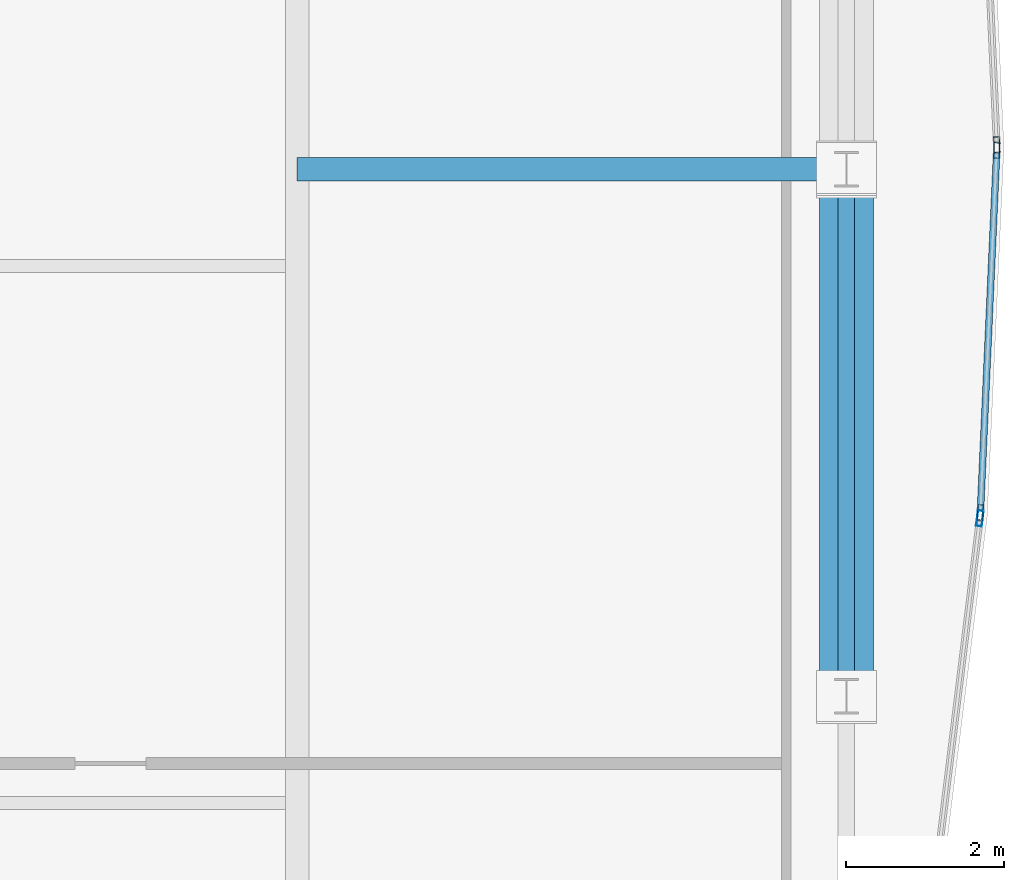
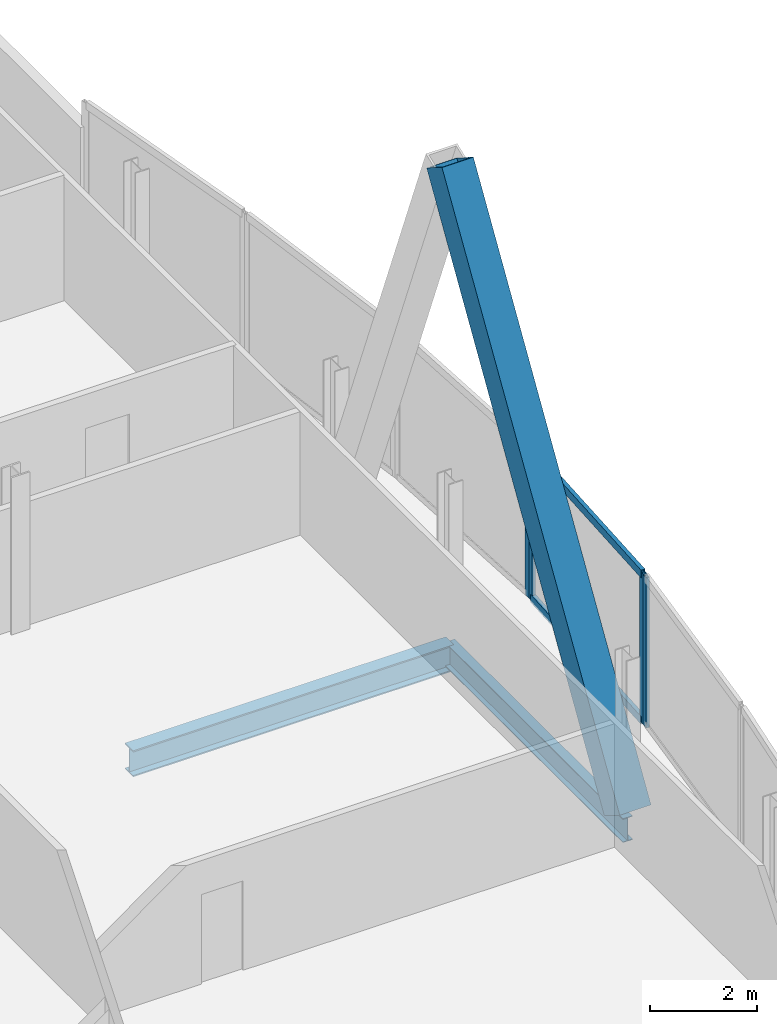
# One storey, part 17 of 29: 7 members, 2 beams, 3 elements without a shape of their own.
"""IFC4 building model written with IfcOpenShell, lengths in metres."""

from ifc_helpers import new_model, si_unit, direction, frame, origin, origin_2d, place, context, subcontext, project, spatial, hollow_rectangle, i_section, extrude, material, material_profile, profile_set, type_object, element, aggregate, save


model = new_model("IFC4")

# Units and contexts
model_context = context("Model", 3, precision=1e-05, world=origin(), true_north=direction((0.0, 1.0)))
body_context = subcontext(model_context, "Body", "Model", "MODEL_VIEW")
ifc_project = project(units=[si_unit("LENGTHUNIT", "METRE"), si_unit("AREAUNIT", "SQUARE_METRE"), si_unit("VOLUMEUNIT", "CUBIC_METRE"), si_unit("PLANEANGLEUNIT", "RADIAN"), si_unit("MASSUNIT", "GRAM", prefix="KILO")], contexts=[model_context])

# Site, building, storey
site_placement = place(None, origin())
site = spatial("IfcSite", under=ifc_project, at=site_placement, CompositionType="ELEMENT")
building_placement = place(site_placement, origin())
building = spatial("IfcBuilding", under=site, at=building_placement, Name="Khoronbel Lancet Exchange", CompositionType="ELEMENT")
storey_placement = place(building_placement, frame((0.0, 0.0, 336.199951171875)))
storey = spatial("IfcBuildingStorey", under=building, at=storey_placement, Name="L87", CompositionType="ELEMENT", Elevation=336.199951171875)

# Beams
ifc_material_1 = material(Name="Steel S355", Category="steel")
ifc_material_profile_1 = material_profile(ifc_material_1, i_section(OverallWidth=0.300048828125, OverallDepth=0.60009765625, WebThickness=0.015380859375, FlangeThickness=0.030029296875, at=origin_2d()), Name="HEB 600")
ifc_profile_set_1 = profile_set([ifc_material_profile_1], Name="Steel S355")
beam_type_1 = type_object("IfcBeamType", Name="BM-BG5", PredefinedType="BEAM", material=ifc_profile_set_1)
beam_1_placement = place(storey_placement, frame((54.675048828125, 31.425048828125, -0.4599609375), z_axis=(1.0, 0.0, 0.0), x_axis=(0.0, 1.0, 0.0)))
element("IfcBeam", 1, at=beam_1_placement, inside=storey, type_object=beam_type_1, Name="Level L87 east lens tie girder LG2E", PredefinedType="BEAM", context=body_context, shape_type="SweptSolid", body=[
    extrude(i_section(OverallWidth=0.300048828125, OverallDepth=0.60009765625, WebThickness=0.015380859375, FlangeThickness=0.030029296875, at=origin_2d()), origin(), (0.0, 0.0, 1.0), 6.954833984375),
])
ifc_material_profile_2 = material_profile(ifc_material_1, i_section(OverallWidth=0.2099609375, OverallDepth=0.550048828125, WebThickness=0.010986328125, FlangeThickness=0.01708984375, at=origin_2d()), Name="IPE 550")
ifc_profile_set_2 = profile_set([ifc_material_profile_2], Name="Steel S355")
beam_type_2 = type_object("IfcBeamType", Name="BM-BSP3", PredefinedType="SPANDREL", material=ifc_profile_set_2)
beam_2_placement = place(storey_placement, frame((61.6298828125, 24.75, -0.43505859375), z_axis=(0.0, 1.0, 0.0), x_axis=(-1.0, 0.0, 0.0)))
element("IfcBeam", 2, at=beam_2_placement, inside=storey, type_object=beam_type_2, Name="Level L87 perimeter spandrel beam SP10", PredefinedType="SPANDREL", context=body_context, shape_type="SweptSolid", body=[
    extrude(i_section(OverallWidth=0.2099609375, OverallDepth=0.550048828125, WebThickness=0.010986328125, FlangeThickness=0.01708984375, at=origin_2d()), origin(), (0.0, 0.0, 1.0), 6.675048828125),
])

# Curtain wall, member
ifc_material_2 = material(Name="Low-E Solar Control Insulating Glass", Category="glass")
curtain_wall_type = type_object("IfcCurtainWallType", Name="CW-4", PredefinedType="NOTDEFINED", material=ifc_material_2)
curtain_wall_1_placement = place(storey_placement, origin())
curtain_wall_1 = element("IfcCurtainWall", 3, at=curtain_wall_1_placement, inside=storey, type_object=curtain_wall_type, Name="Unitised curtain wall CW-L87-E19", PredefinedType="NOTDEFINED")
ifc_material_3 = material(Name="Bronze-Anodised Aluminium 6063-T6", Category="aluminium")
ifc_material_profile_3 = material_profile(ifc_material_3, hollow_rectangle(XDim=0.074951171875, YDim=0.199951171875, WallThickness=0.0048828125, at=origin_2d()), Name="ALU MULLION 75x200")
ifc_profile_set_3 = profile_set([ifc_material_profile_3], Name="Bronze-Anodised Aluminium 6063-T6")
member_type_1 = type_object("IfcMemberType", Name="MEM-CWM2", PredefinedType="MULLION", material=ifc_profile_set_3)
member_1_placement = place(storey_placement, frame((63.533203125, 31.737548828125, 0.0), z_axis=(0.0, 0.0, 1.0), x_axis=(0.998978991195, 0.04517715298, 0.0)))
member_1 = element("IfcMember", 4, at=member_1_placement, type_object=member_type_1, Name="CW4 mullion 2", PredefinedType="MULLION", context=body_context, shape_type="SweptSolid", body=[
    extrude(hollow_rectangle(XDim=0.074951171875, YDim=0.199951171875, WallThickness=0.0048828125, at=origin_2d()), origin(), (0.0, 0.0, 1.0), 3.43994140625),
])
aggregate(curtain_wall_1, [member_1])

# Curtain wall, members
curtain_wall_2_placement = place(storey_placement, origin())
curtain_wall_2 = element("IfcCurtainWall", 5, at=curtain_wall_2_placement, inside=storey, type_object=curtain_wall_type, Name="Unitised curtain wall CW-L87-E20", PredefinedType="NOTDEFINED")
member_2_placement = place(storey_placement, frame((63.533203125, 31.66259765625, 0.0), z_axis=(0.0, 0.0, 1.0), x_axis=(0.998978991195, -0.04517715298, 0.0)))
member_2 = element("IfcMember", 6, at=member_2_placement, type_object=member_type_1, Name="CW4 mullion 1", PredefinedType="MULLION", context=body_context, shape_type="SweptSolid", body=[
    extrude(hollow_rectangle(XDim=0.074951171875, YDim=0.199951171875, WallThickness=0.0048828125, at=origin_2d()), origin(), (0.0, 0.0, 1.0), 3.43994140625),
])
member_3_placement = place(storey_placement, frame((63.325927734375, 27.078369140625, 0.0), z_axis=(0.0, 0.0, 1.0), x_axis=(0.998978991195, -0.04517715298, 0.0)))
member_3 = element("IfcMember", 7, at=member_3_placement, type_object=member_type_1, Name="CW4 mullion 2", PredefinedType="MULLION", context=body_context, shape_type="SweptSolid", body=[
    extrude(hollow_rectangle(XDim=0.074951171875, YDim=0.199951171875, WallThickness=0.0048828125, at=origin_2d()), origin(), (0.0, 0.0, 1.0), 3.43994140625),
])

# Curtain wall, member
curtain_wall_3_placement = place(storey_placement, origin())
curtain_wall_3 = element("IfcCurtainWall", 8, at=curtain_wall_3_placement, inside=storey, type_object=curtain_wall_type, Name="Unitised curtain wall CW-L87-E21", PredefinedType="NOTDEFINED")
member_4_placement = place(storey_placement, frame((63.319580078125, 27.003662109375, 0.0), z_axis=(0.0, 0.0, 1.0), x_axis=(0.992456344352, -0.122598550384, 0.0)))
member_4 = element("IfcMember", 9, at=member_4_placement, type_object=member_type_1, Name="CW4 mullion 1", PredefinedType="MULLION", context=body_context, shape_type="SweptSolid", body=[
    extrude(hollow_rectangle(XDim=0.074951171875, YDim=0.199951171875, WallThickness=0.0048828125, at=origin_2d()), origin(), (0.0, 0.0, 1.0), 3.43994140625),
])
aggregate(curtain_wall_3, [member_4])

# Member
ifc_material_profile_4 = material_profile(ifc_material_3, hollow_rectangle(XDim=0.0849609375, YDim=0.179931640625, WallThickness=0.0048828125, at=origin_2d()), Name="ALU TRANSOM 85x180")
ifc_profile_set_4 = profile_set([ifc_material_profile_4], Name="Bronze-Anodised Aluminium 6063-T6")
member_type_2 = type_object("IfcMemberType", Name="MEM-CWT1", PredefinedType="USERDEFINED", material=ifc_profile_set_4)
member_5_placement = place(storey_placement, frame((63.531494140625, 31.625, 0.04248046875), z_axis=(-0.045162318232, -0.998979661961, 0.0), x_axis=(0.998979661961, -0.045162318232, 0.0)))
member_5 = element("IfcMember", 10, at=member_5_placement, type_object=member_type_2, Name="CW4 transom 1.1", ObjectType="TRANSOM", PredefinedType="USERDEFINED", context=body_context, shape_type="SweptSolid", body=[
    extrude(hollow_rectangle(XDim=0.0849609375, YDim=0.179931640625, WallThickness=0.0048828125, at=origin_2d()), origin(), (0.0, 0.0, 1.0), 4.513916015625),
])

member_6_placement = place(storey_placement, frame((63.531494140625, 31.625, 3.3974609375), z_axis=(-0.045162318232, -0.998979661961, 0.0), x_axis=(0.998979661961, -0.045162318232, 0.0)))
member_6 = element("IfcMember", 11, at=member_6_placement, type_object=member_type_2, Name="CW4 transom 1.2", ObjectType="TRANSOM", PredefinedType="USERDEFINED", context=body_context, shape_type="SweptSolid", body=[
    extrude(hollow_rectangle(XDim=0.0849609375, YDim=0.179931640625, WallThickness=0.0048828125, at=origin_2d()), origin(), (0.0, 0.0, 1.0), 4.513916015625),
])

aggregate(curtain_wall_2, [member_2, member_3, member_5, member_6])

ifc_material_4 = material(Name="Steel S460", Category="steel")
ifc_material_profile_5 = material_profile(ifc_material_4, hollow_rectangle(XDim=0.679931640625, YDim=0.679931640625, WallThickness=0.044921875, at=origin_2d()), Name="BOX 680x680x45")
ifc_profile_set_5 = profile_set([ifc_material_profile_5], Name="Steel S460")
member_type_3 = type_object("IfcMemberType", Name="MEM-MB3", PredefinedType="BRACE", material=ifc_profile_set_5)
member_7_placement = place(storey_placement, frame((61.6298828125, 24.75, 0.0), z_axis=(0.0, 0.525745449971, 0.850641946906), x_axis=(-1.0, 0.0, 0.0)))
element("IfcMember", 12, at=member_7_placement, inside=storey, type_object=member_type_3, Name="Perimeter lancet brace tier 30 E-P-L", PredefinedType="BRACE", context=body_context, shape_type="SweptSolid", body=[
    extrude(hollow_rectangle(XDim=0.679931640625, YDim=0.679931640625, WallThickness=0.044921875, at=origin_2d()), origin(), (0.0, 0.0, 1.0), 12.6962890625),
])

save(model, "model.ifc")
